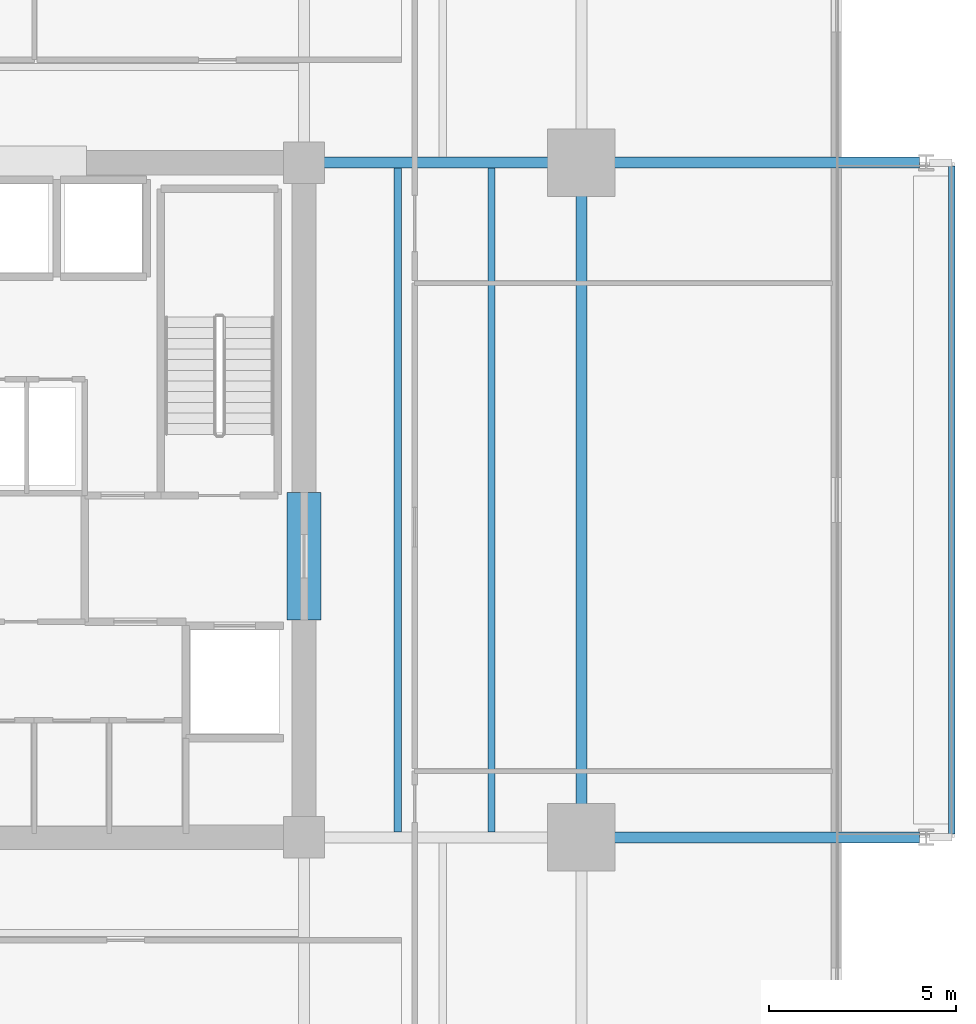
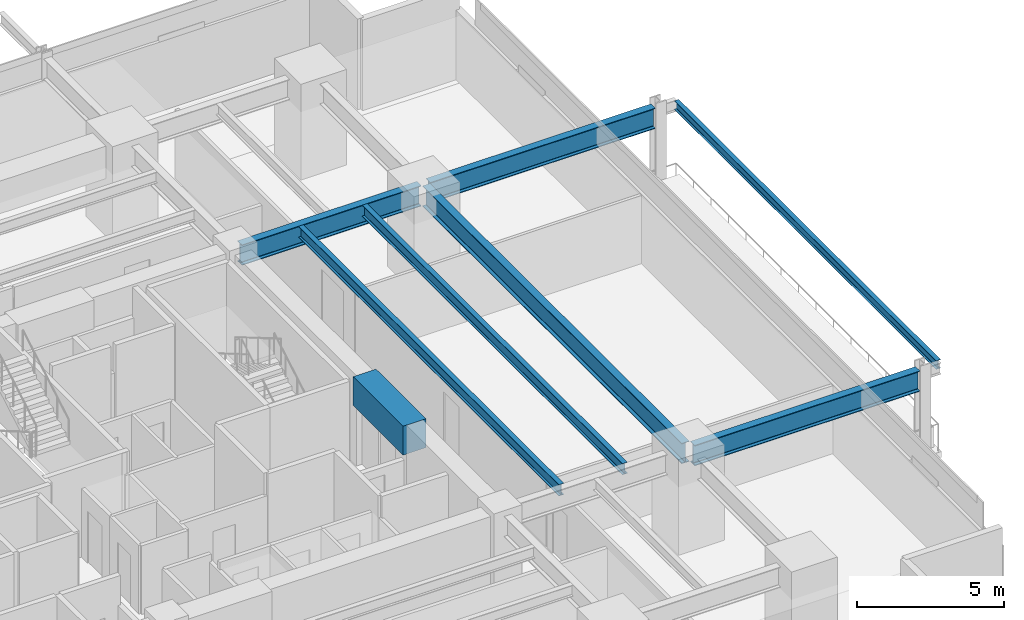
# One storey, part 10 of 20: 8 beams.
"""IFC4 building model written with IfcOpenShell, lengths in metres."""

from ifc_helpers import new_model, si_unit, direction, frame, origin, origin_2d, place, context, subcontext, project, spatial, rectangle, i_section, extrude, material, material_profile, profile_set, type_object, element, save


model = new_model("IFC4")

# Units and contexts
model_context = context("Model", 3, precision=1e-05, world=origin(), true_north=direction((0.0, 1.0)))
body_context = subcontext(model_context, "Body", "Model", "MODEL_VIEW")
ifc_project = project(units=[si_unit("LENGTHUNIT", "METRE"), si_unit("AREAUNIT", "SQUARE_METRE"), si_unit("VOLUMEUNIT", "CUBIC_METRE"), si_unit("PLANEANGLEUNIT", "RADIAN"), si_unit("MASSUNIT", "GRAM", prefix="KILO")], contexts=[model_context])

# Site, building, storey
site_placement = place(None, origin())
site = spatial("IfcSite", under=ifc_project, at=site_placement, CompositionType="ELEMENT")
building_placement = place(site_placement, origin())
building = spatial("IfcBuilding", under=site, at=building_placement, Name="Kovane Verandah Tower", CompositionType="ELEMENT")
storey_placement = place(building_placement, frame((0.0, 0.0, 39.60009765625)))
storey = spatial("IfcBuildingStorey", under=building, at=storey_placement, Name="L08", CompositionType="ELEMENT", Elevation=39.60009765625)

# Beams
ifc_material_1 = material(Name="Concrete C80/95", Category="concrete")
ifc_material_profile_1 = material_profile(ifc_material_1, rectangle(XDim=0.89990234375, YDim=1.199951171875, at=origin_2d()), Name="RCB900x1200")
ifc_profile_set_1 = profile_set([ifc_material_profile_1], Name="Concrete C80/95")
beam_type_1 = type_object("IfcBeamType", Name="BM-LINTEL-900x1200", PredefinedType="LINTEL", material=ifc_profile_set_1)
beam_1_placement = place(storey_placement, frame((51.0, 24.300048828125, 3.159912109375), z_axis=(0.0, 1.0, 0.0), x_axis=(-1.0, 0.0, 0.0)))
element("IfcBeam", 1, at=beam_1_placement, inside=storey, type_object=beam_type_1, Name="L08 Core Coupling Lintel CL-E", PredefinedType="LINTEL", context=body_context, shape_type="SweptSolid", body=[
    extrude(rectangle(XDim=0.89990234375, YDim=1.199951171875, at=origin_2d()), origin(), (0.0, 0.0, 1.0), 3.39990234375),
])
ifc_material_2 = material(Name="Steel S355", Category="steel")
ifc_material_profile_2 = material_profile(ifc_material_2, i_section(OverallWidth=0.293701171875, OverallDepth=0.850830078125, WebThickness=0.01611328125, FlangeThickness=0.02685546875, FilletRadius=0.017822265625, at=origin_2d()), Name="UB838x292x226")
ifc_profile_set_2 = profile_set([ifc_material_profile_2], Name="Steel S355")
beam_type_2 = type_object("IfcBeamType", Name="BM-UB838x226", PredefinedType="BEAM", material=ifc_profile_set_2)
beam_2_placement = place(storey_placement, frame((58.39990234375, 18.679931640625, 3.33447265625), z_axis=(0.0, 1.0, 0.0), x_axis=(-1.0, 0.0, 0.0)))
element("IfcBeam", 2, at=beam_2_placement, inside=storey, type_object=beam_type_2, Name="L08 Primary Tower Girder G-RE2", PredefinedType="BEAM", context=body_context, shape_type="SweptSolid", body=[
    extrude(i_section(OverallWidth=0.293701171875, OverallDepth=0.850830078125, WebThickness=0.01611328125, FlangeThickness=0.02685546875, FilletRadius=0.017822265625, at=origin_2d()), origin(), (0.0, 0.0, 1.0), 17.64013671875),
])
beam_3_placement = place(storey_placement, frame((51.179931640625, 36.5, 3.33447265625), z_axis=(1.0, 0.0, 0.0), x_axis=(0.0, 1.0, 0.0)))
element("IfcBeam", 3, at=beam_3_placement, inside=storey, type_object=beam_type_2, Name="L08 Primary Tower Girder G-E2", PredefinedType="BEAM", context=body_context, shape_type="SweptSolid", body=[
    extrude(i_section(OverallWidth=0.293701171875, OverallDepth=0.850830078125, WebThickness=0.01611328125, FlangeThickness=0.02685546875, FilletRadius=0.017822265625, at=origin_2d()), origin(), (0.0, 0.0, 1.0), 7.0400390625),
])
for number, where, z_axis, x_axis, name in (
    (4, (58.580078125, 18.5, 3.33447265625), (1.0, 0.0, 0.0), (0.0, 1.0, 0.0), "L08 Primary Tower Girder G-VE1"),
    (5, (58.580078125, 36.5, 3.33447265625), (1.0, 0.0, 0.0), (0.0, 1.0, 0.0), "L08 Primary Tower Girder G-VE2"),
):
    element("IfcBeam", number, at=place(storey_placement, frame(where, z_axis=z_axis, x_axis=x_axis)), inside=storey, type_object=beam_type_2, Name=name, PredefinedType="BEAM", context=body_context, shape_type="SweptSolid", body=[
        extrude(i_section(OverallWidth=0.293701171875, OverallDepth=0.850830078125, WebThickness=0.01611328125, FlangeThickness=0.02685546875, FilletRadius=0.017822265625, at=origin_2d()), origin(), (0.0, 0.0, 1.0), 8.83984375),
    ])
ifc_material_profile_3 = material_profile(ifc_material_2, i_section(OverallWidth=0.19287109375, OverallDepth=0.46728515625, WebThickness=0.011474609375, FlangeThickness=0.01953125, FilletRadius=0.01025390625, at=origin_2d()), Name="UB457x191x98")
ifc_profile_set_3 = profile_set([ifc_material_profile_3], Name="Steel S355")
beam_type_3 = type_object("IfcBeamType", Name="JST-UB457x98", PredefinedType="JOIST", material=ifc_profile_set_3)
for number, where, z_axis, x_axis, name in (
    (6, (53.5, 18.64501953125, 3.5263671875), (0.0, 1.0, 0.0), (-1.0, 0.0, 0.0), "L08 Secondary Composite Joist J-E1"),
    (7, (56.0, 18.64501953125, 3.5263671875), (0.0, 1.0, 0.0), (-1.0, 0.0, 0.0), "L08 Secondary Composite Joist J-E2"),
):
    element("IfcBeam", number, at=place(storey_placement, frame(where, z_axis=z_axis, x_axis=x_axis)), inside=storey, type_object=beam_type_3, Name=name, PredefinedType="JOIST", context=body_context, shape_type="SweptSolid", body=[
        extrude(i_section(OverallWidth=0.19287109375, OverallDepth=0.46728515625, WebThickness=0.011474609375, FlangeThickness=0.01953125, FilletRadius=0.01025390625, at=origin_2d()), origin(), (0.0, 0.0, 1.0), 17.7099609375),
    ])
ifc_material_profile_4 = material_profile(ifc_material_2, i_section(OverallWidth=0.173095703125, OverallDepth=0.36328125, WebThickness=0.009033203125, FlangeThickness=0.015625, FilletRadius=0.01025390625, at=origin_2d()), Name="UB356x171x67")
ifc_profile_set_4 = profile_set([ifc_material_profile_4], Name="Steel S355")
beam_type_4 = type_object("IfcBeamType", Name="SPD-UB356x67", PredefinedType="USERDEFINED", material=ifc_profile_set_4)
beam_4_placement = place(storey_placement, frame((68.282958984375, 18.594482421875, 3.578125), z_axis=(0.0, 1.0, 0.0), x_axis=(-1.0, 0.0, 0.0)))
element("IfcBeam", 8, at=beam_4_placement, inside=storey, type_object=beam_type_4, Name="L08 East Planter Edge Spandrel", ObjectType="SPANDREL", PredefinedType="USERDEFINED", context=body_context, shape_type="SweptSolid", body=[
    extrude(i_section(OverallWidth=0.173095703125, OverallDepth=0.36328125, WebThickness=0.009033203125, FlangeThickness=0.015625, FilletRadius=0.01025390625, at=origin_2d()), origin(), (0.0, 0.0, 1.0), 17.81103515625),
])

save(model, "model.ifc")
